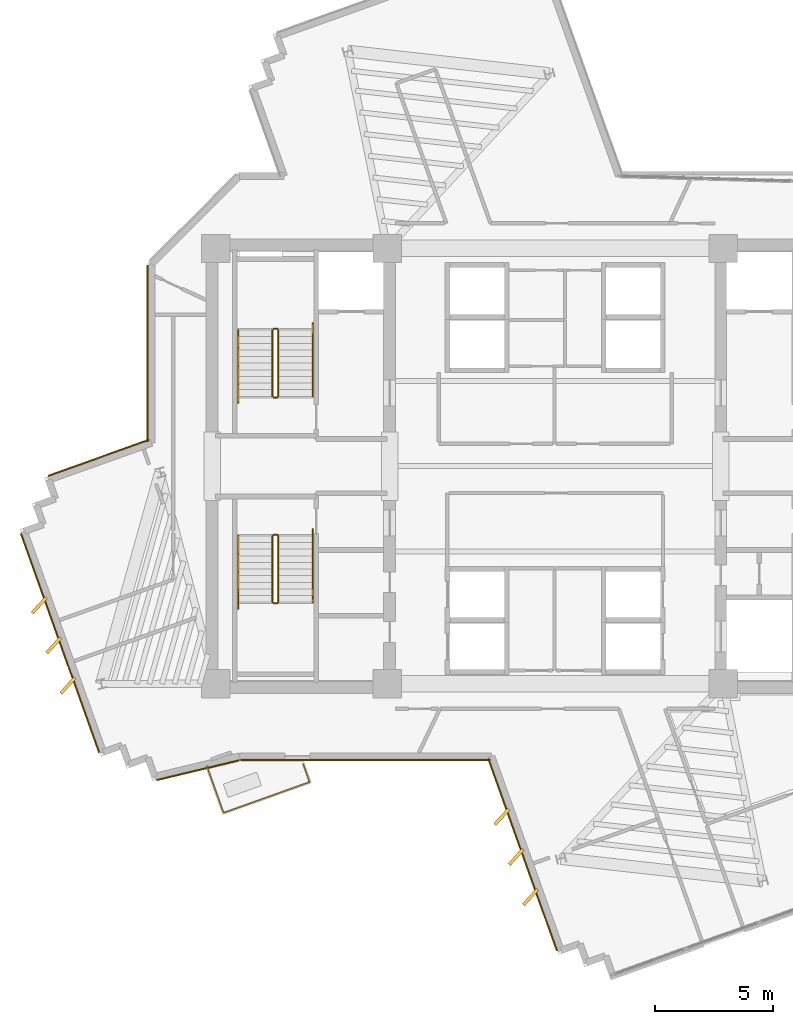
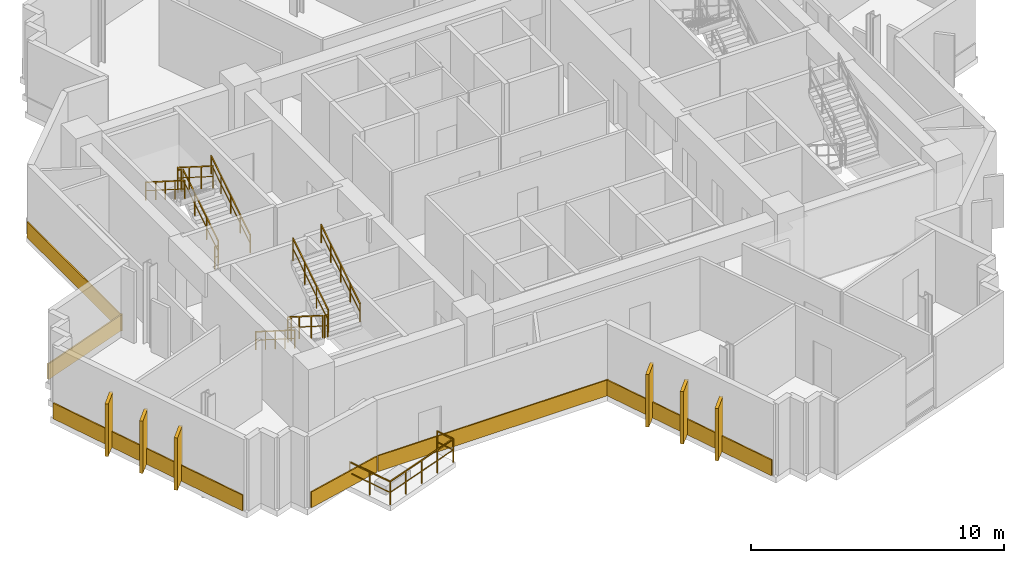
# One storey, part 11 of 13: 15 railings, 12 coverings.
"""IFC4 building model written with IfcOpenShell, lengths in metres."""

from ifc_helpers import new_model, si_unit, direction, frame, origin, origin_2d, place, context, subcontext, project, spatial, rectangle, extrude, source, transform, mapped, material, layer, layer_set, type_object, element, save


model = new_model("IFC4")

# Units and contexts
model_context = context("Model", 3, precision=1e-05, world=origin(), true_north=direction((0.0, 1.0)))
body_context = subcontext(model_context, "Body", "Model", "MODEL_VIEW")
ifc_project = project(units=[si_unit("LENGTHUNIT", "METRE"), si_unit("AREAUNIT", "SQUARE_METRE"), si_unit("VOLUMEUNIT", "CUBIC_METRE"), si_unit("PLANEANGLEUNIT", "RADIAN"), si_unit("MASSUNIT", "GRAM", prefix="KILO")], contexts=[model_context])

# Site, building, storey
site_placement = place(None, origin())
site = spatial("IfcSite", under=ifc_project, at=site_placement, CompositionType="ELEMENT")
building_placement = place(site_placement, origin())
building = spatial("IfcBuilding", under=site, at=building_placement, Name="Zahravan Cultural Tower", CompositionType="ELEMENT")
storey_placement = place(building_placement, frame((0.0, 0.0, 225.300048828125)))
storey = spatial("IfcBuildingStorey", under=building, at=storey_placement, Name="L53", CompositionType="ELEMENT", Elevation=225.300048828125)

# Railings
ifc_material_1 = material(Name="Steel ASTM A572 Grade 50", Category="steel")
railing_type_1 = type_object("IfcRailingType", Name="RL-BAL-1150", PredefinedType="BALUSTRADE", material=ifc_material_1)
railing_1_placement = place(storey_placement, frame((25.618408203125, 13.647216796875, 0.0)))
element("IfcRailing", 1, at=railing_1_placement, inside=storey, type_object=railing_type_1, Name="L53 Edge Balustrade GRD-TR-L53-SW-01", PredefinedType="BALUSTRADE", context=body_context, shape_type="SweptSolid", body=[
    extrude(rectangle(XDim=0.05, YDim=0.05, at=origin_2d()), frame((0.0, 0.0, 1.125), z_axis=(-0.941671776633, -0.336532710287, 0.0), x_axis=(0.336532710287, -0.941671776633, 0.0)), (0.0, 0.0, 1.0), 3.860107421875),
    extrude(rectangle(XDim=0.032, YDim=0.032, at=origin_2d()), frame((0.0, 0.0, 0.597900390625), z_axis=(-0.941671776633, -0.336532710287, 0.0), x_axis=(0.336532710287, -0.941671776633, 0.0)), (0.0, 0.0, 1.0), 3.860107421875),
    extrude(rectangle(XDim=0.04, YDim=0.04, at=origin_2d()), origin(), (0.0, 0.0, 1.0), 1.14990234375),
    extrude(rectangle(XDim=0.04, YDim=0.04, at=origin_2d()), frame((-0.90869140625, -0.32470703125, 0.0)), (0.0, 0.0, 1.0), 1.14990234375),
    extrude(rectangle(XDim=0.04, YDim=0.04, at=origin_2d()), frame((-1.8173828125, -0.6494140625, 0.0)), (0.0, 0.0, 1.0), 1.14990234375),
    extrude(rectangle(XDim=0.04, YDim=0.04, at=origin_2d()), frame((-2.726318359375, -0.974365234375, 0.0)), (0.0, 0.0, 1.0), 1.14990234375),
    extrude(rectangle(XDim=0.04, YDim=0.04, at=origin_2d()), frame((-3.635009765625, -1.299072265625, 0.0)), (0.0, 0.0, 1.0), 1.14990234375),
])
railing_2_placement = place(storey_placement, frame((21.9833984375, 12.34814453125, 0.0)))
element("IfcRailing", 2, at=railing_2_placement, inside=storey, type_object=railing_type_1, Name="L53 Edge Balustrade GRD-TR-L53-SW-02", PredefinedType="BALUSTRADE", context=body_context, shape_type="SweptSolid", body=[
    extrude(rectangle(XDim=0.05, YDim=0.05, at=origin_2d()), frame((0.0, 0.0, 1.125), z_axis=(-0.336594171883, 0.941649809353, 0.0), x_axis=(-0.941649809353, -0.336594171883, 0.0)), (0.0, 0.0, 1.0), 2.099853515625),
    extrude(rectangle(XDim=0.032, YDim=0.032, at=origin_2d()), frame((0.0, 0.0, 0.597900390625), z_axis=(-0.336594171883, 0.941649809353, 0.0), x_axis=(-0.941649809353, -0.336594171883, 0.0)), (0.0, 0.0, 1.0), 2.099853515625),
    extrude(rectangle(XDim=0.04, YDim=0.04, at=origin_2d()), origin(), (0.0, 0.0, 1.0), 1.14990234375),
    extrude(rectangle(XDim=0.04, YDim=0.04, at=origin_2d()), frame((-0.353515625, 0.98876953125, 0.0)), (0.0, 0.0, 1.0), 1.14990234375),
    extrude(rectangle(XDim=0.04, YDim=0.04, at=origin_2d()), frame((-0.706787109375, 1.977294921875, 0.0)), (0.0, 0.0, 1.0), 1.14990234375),
])
railing_3_placement = place(storey_placement, frame((25.342041015625, 14.419921875, 0.0)))
element("IfcRailing", 3, at=railing_3_placement, inside=storey, type_object=railing_type_1, Name="L53 Edge Balustrade GRD-TR-L53-SW-03", PredefinedType="BALUSTRADE", context=body_context, shape_type="SweptSolid", body=[
    extrude(rectangle(XDim=0.05, YDim=0.05, at=origin_2d()), frame((0.0, 0.0, 1.125), z_axis=(0.336769822681, -0.941587004228, 0.0), x_axis=(0.941587004228, 0.336769822681, 0.0)), (0.0, 0.0, 1.0), 0.820556640625),
    extrude(rectangle(XDim=0.032, YDim=0.032, at=origin_2d()), frame((0.0, 0.0, 0.597900390625), z_axis=(0.336769822681, -0.941587004228, 0.0), x_axis=(0.941587004228, 0.336769822681, 0.0)), (0.0, 0.0, 1.0), 0.820556640625),
    extrude(rectangle(XDim=0.04, YDim=0.04, at=origin_2d()), origin(), (0.0, 0.0, 1.0), 1.14990234375),
    extrude(rectangle(XDim=0.04, YDim=0.04, at=origin_2d()), frame((0.2763671875, -0.772705078125, 0.0)), (0.0, 0.0, 1.0), 1.14990234375),
])
railing_type_2 = type_object("IfcRailingType", Name="RL-STAIR-GRD1150", PredefinedType="BALUSTRADE", material=ifc_material_1)
railing_4_placement = place(storey_placement, frame((24.300048828125, 29.949951171875, 0.17724609375)))
element("IfcRailing", 4, at=railing_4_placement, inside=storey, type_object=railing_type_2, Name="L53 ST-W1 stair guard 1", PredefinedType="BALUSTRADE", context=body_context, shape_type="SweptSolid", body=[
    extrude(rectangle(XDim=0.05, YDim=0.05, at=origin_2d()), frame((0.0, 0.0, 1.0751953125), z_axis=(0.0, 0.844908973607, 0.534910110503), x_axis=(-1.0, 0.0, 0.0)), (0.0, 0.0, 1.0), 3.31396484375),
    extrude(rectangle(XDim=0.032, YDim=0.032, at=origin_2d()), frame((0.0, 0.0, 0.572021484375), z_axis=(0.0, 0.844908973607, 0.534910110503), x_axis=(-1.0, 0.0, 0.0)), (0.0, 0.0, 1.0), 3.31396484375),
    extrude(rectangle(XDim=0.04, YDim=0.04, at=origin_2d()), origin(), (0.0, 0.0, 1.0), 1.10009765625),
    extrude(rectangle(XDim=0.04, YDim=0.04, at=origin_2d()), frame((0.0, 0.933349609375, 0.5908203125)), (0.0, 0.0, 1.0), 1.10009765625),
    extrude(rectangle(XDim=0.04, YDim=0.04, at=origin_2d()), frame((0.0, 1.86669921875, 1.181884765625)), (0.0, 0.0, 1.0), 1.10009765625),
    extrude(rectangle(XDim=0.04, YDim=0.04, at=origin_2d()), frame((0.0, 2.800048828125, 1.772705078125)), (0.0, 0.0, 1.0), 1.10009765625),
])
railing_5_placement = place(storey_placement, frame((24.25, 32.800048828125, 1.949951171875)))
element("IfcRailing", 5, at=railing_5_placement, inside=storey, type_object=railing_type_2, Name="L53 ST-W1 stair guard 2", PredefinedType="BALUSTRADE", context=body_context, shape_type="SweptSolid", body=[
    extrude(rectangle(XDim=0.05, YDim=0.05, at=origin_2d()), frame((0.0, 0.0, 1.0751953125), z_axis=(-1.0, 0.0, 0.0), x_axis=(0.0, -1.0, 0.0)), (0.0, 0.0, 1.0), 0.14990234375),
    extrude(rectangle(XDim=0.032, YDim=0.032, at=origin_2d()), frame((0.0, 0.0, 0.572021484375), z_axis=(-1.0, 0.0, 0.0), x_axis=(0.0, -1.0, 0.0)), (0.0, 0.0, 1.0), 0.14990234375),
    extrude(rectangle(XDim=0.04, YDim=0.04, at=origin_2d()), origin(), (0.0, 0.0, 1.0), 1.10009765625),
    extrude(rectangle(XDim=0.04, YDim=0.04, at=origin_2d()), frame((-0.14990234375, 0.0, 0.0)), (0.0, 0.0, 1.0), 1.10009765625),
])
railing_6_placement = place(storey_placement, frame((24.050048828125, 32.75, 2.127197265625)))
element("IfcRailing", 6, at=railing_6_placement, inside=storey, type_object=railing_type_2, Name="L53 ST-W1 stair guard 3", PredefinedType="BALUSTRADE", context=body_context, shape_type="SweptSolid", body=[
    extrude(rectangle(XDim=0.05, YDim=0.05, at=origin_2d()), frame((0.0, 0.0, 1.0751953125), z_axis=(0.0, -0.844908973607, 0.534910110503), x_axis=(1.0, 0.0, 0.0)), (0.0, 0.0, 1.0), 3.31396484375),
    extrude(rectangle(XDim=0.032, YDim=0.032, at=origin_2d()), frame((0.0, 0.0, 0.572021484375), z_axis=(0.0, -0.844908973607, 0.534910110503), x_axis=(1.0, 0.0, 0.0)), (0.0, 0.0, 1.0), 3.31396484375),
    extrude(rectangle(XDim=0.04, YDim=0.04, at=origin_2d()), origin(), (0.0, 0.0, 1.0), 1.10009765625),
    extrude(rectangle(XDim=0.04, YDim=0.04, at=origin_2d()), frame((0.0, -0.933349609375, 0.5908203125)), (0.0, 0.0, 1.0), 1.10009765625),
    extrude(rectangle(XDim=0.04, YDim=0.04, at=origin_2d()), frame((0.0, -1.86669921875, 1.181884765625)), (0.0, 0.0, 1.0), 1.10009765625),
    extrude(rectangle(XDim=0.04, YDim=0.04, at=origin_2d()), frame((0.0, -2.800048828125, 1.772705078125)), (0.0, 0.0, 1.0), 1.10009765625),
])
railing_7_placement = place(storey_placement, frame((24.25, 29.89990234375, 0.0)))
element("IfcRailing", 7, at=railing_7_placement, inside=storey, type_object=railing_type_2, Name="L53 ST-W1 stair guard 4", PredefinedType="BALUSTRADE", context=body_context, shape_type="SweptSolid", body=[
    extrude(rectangle(XDim=0.05, YDim=0.05, at=origin_2d()), frame((0.0, 0.0, 1.0751953125), z_axis=(-1.0, 0.0, 0.0), x_axis=(0.0, -1.0, 0.0)), (0.0, 0.0, 1.0), 0.14990234375),
    extrude(rectangle(XDim=0.032, YDim=0.032, at=origin_2d()), frame((0.0, 0.0, 0.572021484375), z_axis=(-1.0, 0.0, 0.0), x_axis=(0.0, -1.0, 0.0)), (0.0, 0.0, 1.0), 0.14990234375),
    extrude(rectangle(XDim=0.04, YDim=0.04, at=origin_2d()), origin(), (0.0, 0.0, 1.0), 1.10009765625),
    extrude(rectangle(XDim=0.04, YDim=0.04, at=origin_2d()), frame((-0.14990234375, 0.0, 0.0)), (0.0, 0.0, 1.0), 1.10009765625),
])
railing_8_placement = place(storey_placement, frame((24.050048828125, 24.050048828125, 0.17724609375)))
element("IfcRailing", 8, at=railing_8_placement, inside=storey, type_object=railing_type_2, Name="L53 ST-W2 stair guard 1", PredefinedType="BALUSTRADE", context=body_context, shape_type="SweptSolid", body=[
    extrude(rectangle(XDim=0.05, YDim=0.05, at=origin_2d()), frame((0.0, 0.0, 1.0751953125), z_axis=(0.0, -0.844908973607, 0.534910110503), x_axis=(1.0, 0.0, 0.0)), (0.0, 0.0, 1.0), 3.31396484375),
    extrude(rectangle(XDim=0.032, YDim=0.032, at=origin_2d()), frame((0.0, 0.0, 0.572021484375), z_axis=(0.0, -0.844908973607, 0.534910110503), x_axis=(1.0, 0.0, 0.0)), (0.0, 0.0, 1.0), 3.31396484375),
    extrude(rectangle(XDim=0.04, YDim=0.04, at=origin_2d()), origin(), (0.0, 0.0, 1.0), 1.10009765625),
    extrude(rectangle(XDim=0.04, YDim=0.04, at=origin_2d()), frame((0.0, -0.933349609375, 0.5908203125)), (0.0, 0.0, 1.0), 1.10009765625),
    extrude(rectangle(XDim=0.04, YDim=0.04, at=origin_2d()), frame((0.0, -1.86669921875, 1.181884765625)), (0.0, 0.0, 1.0), 1.10009765625),
    extrude(rectangle(XDim=0.04, YDim=0.04, at=origin_2d()), frame((0.0, -2.800048828125, 1.772705078125)), (0.0, 0.0, 1.0), 1.10009765625),
])
railing_9_placement = place(storey_placement, frame((24.10009765625, 21.199951171875, 1.949951171875)))
element("IfcRailing", 9, at=railing_9_placement, inside=storey, type_object=railing_type_2, Name="L53 ST-W2 stair guard 2", PredefinedType="BALUSTRADE", context=body_context, shape_type="SweptSolid", body=[
    extrude(rectangle(XDim=0.05, YDim=0.05, at=origin_2d()), frame((0.0, 0.0, 1.0751953125), z_axis=(1.0, 0.0, 0.0), x_axis=(0.0, 1.0, 0.0)), (0.0, 0.0, 1.0), 0.14990234375),
    extrude(rectangle(XDim=0.032, YDim=0.032, at=origin_2d()), frame((0.0, 0.0, 0.572021484375), z_axis=(1.0, 0.0, 0.0), x_axis=(0.0, 1.0, 0.0)), (0.0, 0.0, 1.0), 0.14990234375),
    extrude(rectangle(XDim=0.04, YDim=0.04, at=origin_2d()), origin(), (0.0, 0.0, 1.0), 1.10009765625),
    extrude(rectangle(XDim=0.04, YDim=0.04, at=origin_2d()), frame((0.14990234375, 0.0, 0.0)), (0.0, 0.0, 1.0), 1.10009765625),
])
railing_10_placement = place(storey_placement, frame((24.300048828125, 21.25, 2.127197265625)))
element("IfcRailing", 10, at=railing_10_placement, inside=storey, type_object=railing_type_2, Name="L53 ST-W2 stair guard 3", PredefinedType="BALUSTRADE", context=body_context, shape_type="SweptSolid", body=[
    extrude(rectangle(XDim=0.05, YDim=0.05, at=origin_2d()), frame((0.0, 0.0, 1.0751953125), z_axis=(0.0, 0.844908973607, 0.534910110503), x_axis=(-1.0, 0.0, 0.0)), (0.0, 0.0, 1.0), 3.31396484375),
    extrude(rectangle(XDim=0.032, YDim=0.032, at=origin_2d()), frame((0.0, 0.0, 0.572021484375), z_axis=(0.0, 0.844908973607, 0.534910110503), x_axis=(-1.0, 0.0, 0.0)), (0.0, 0.0, 1.0), 3.31396484375),
    extrude(rectangle(XDim=0.04, YDim=0.04, at=origin_2d()), origin(), (0.0, 0.0, 1.0), 1.10009765625),
    extrude(rectangle(XDim=0.04, YDim=0.04, at=origin_2d()), frame((0.0, 0.933349609375, 0.5908203125)), (0.0, 0.0, 1.0), 1.10009765625),
    extrude(rectangle(XDim=0.04, YDim=0.04, at=origin_2d()), frame((0.0, 1.86669921875, 1.181884765625)), (0.0, 0.0, 1.0), 1.10009765625),
    extrude(rectangle(XDim=0.04, YDim=0.04, at=origin_2d()), frame((0.0, 2.800048828125, 1.772705078125)), (0.0, 0.0, 1.0), 1.10009765625),
])
railing_11_placement = place(storey_placement, frame((24.10009765625, 24.10009765625, 0.0)))
element("IfcRailing", 11, at=railing_11_placement, inside=storey, type_object=railing_type_2, Name="L53 ST-W2 stair guard 4", PredefinedType="BALUSTRADE", context=body_context, shape_type="SweptSolid", body=[
    extrude(rectangle(XDim=0.05, YDim=0.05, at=origin_2d()), frame((0.0, 0.0, 1.0751953125), z_axis=(1.0, 0.0, 0.0), x_axis=(0.0, 1.0, 0.0)), (0.0, 0.0, 1.0), 0.14990234375),
    extrude(rectangle(XDim=0.032, YDim=0.032, at=origin_2d()), frame((0.0, 0.0, 0.572021484375), z_axis=(1.0, 0.0, 0.0), x_axis=(0.0, 1.0, 0.0)), (0.0, 0.0, 1.0), 0.14990234375),
    extrude(rectangle(XDim=0.04, YDim=0.04, at=origin_2d()), origin(), (0.0, 0.0, 1.0), 1.10009765625),
    extrude(rectangle(XDim=0.04, YDim=0.04, at=origin_2d()), frame((0.14990234375, 0.0, 0.0)), (0.0, 0.0, 1.0), 1.10009765625),
])
railing_type_3 = type_object("IfcRailingType", Name="RL-STAIR-HR900", PredefinedType="HANDRAIL", material=ifc_material_1)
railing_12_placement = place(storey_placement, frame((25.75, 29.949951171875, 0.17724609375)))
element("IfcRailing", 12, at=railing_12_placement, inside=storey, type_object=railing_type_3, Name="L53 ST-W1 stair handrail 1", PredefinedType="HANDRAIL", context=body_context, shape_type="SweptSolid", body=[
    extrude(rectangle(XDim=0.05, YDim=0.05, at=origin_2d()), frame((0.0, 0.0, 0.875), z_axis=(0.0, 0.844913916606, 0.534902302785), x_axis=(-1.0, 0.0, 0.0)), (0.0, 0.0, 1.0), 3.6455078125),
    extrude(rectangle(XDim=0.032, YDim=0.032, at=origin_2d()), frame((0.0, 0.0, 0.468017578125), z_axis=(0.0, 0.844913916606, 0.534902302785), x_axis=(-1.0, 0.0, 0.0)), (0.0, 0.0, 1.0), 3.6455078125),
    extrude(rectangle(XDim=0.04, YDim=0.04, at=origin_2d()), origin(), (0.0, 0.0, 1.0), 0.89990234375),
    extrude(rectangle(XDim=0.04, YDim=0.04, at=origin_2d()), frame((0.0, 0.77001953125, 0.487548828125)), (0.0, 0.0, 1.0), 0.89990234375),
    extrude(rectangle(XDim=0.04, YDim=0.04, at=origin_2d()), frame((0.0, 1.5400390625, 0.97509765625)), (0.0, 0.0, 1.0), 0.89990234375),
    extrude(rectangle(XDim=0.04, YDim=0.04, at=origin_2d()), frame((0.0, 2.31005859375, 1.46240234375)), (0.0, 0.0, 1.0), 0.89990234375),
    extrude(rectangle(XDim=0.04, YDim=0.04, at=origin_2d()), frame((0.0, 3.080078125, 1.949951171875)), (0.0, 0.0, 1.0), 0.89990234375),
])
for number, where, name in (
    (13, (22.60009765625, 32.75, 2.127197265625), "L53 ST-W1 stair handrail 2"),
    (14, (22.60009765625, 24.050048828125, 0.17724609375), "L53 ST-W2 stair handrail 1"),
):
    element("IfcRailing", number, at=place(storey_placement, frame(where)), inside=storey, type_object=railing_type_3, Name=name, PredefinedType="HANDRAIL", context=body_context, shape_type="SweptSolid", body=[
        extrude(rectangle(XDim=0.05, YDim=0.05, at=origin_2d()), frame((0.0, 0.0, 0.875), z_axis=(0.0, -0.844913916606, 0.534902302785), x_axis=(1.0, 0.0, 0.0)), (0.0, 0.0, 1.0), 3.6455078125),
        extrude(rectangle(XDim=0.032, YDim=0.032, at=origin_2d()), frame((0.0, 0.0, 0.468017578125), z_axis=(0.0, -0.844913916606, 0.534902302785), x_axis=(1.0, 0.0, 0.0)), (0.0, 0.0, 1.0), 3.6455078125),
        extrude(rectangle(XDim=0.04, YDim=0.04, at=origin_2d()), origin(), (0.0, 0.0, 1.0), 0.89990234375),
        extrude(rectangle(XDim=0.04, YDim=0.04, at=origin_2d()), frame((0.0, -0.77001953125, 0.487548828125)), (0.0, 0.0, 1.0), 0.89990234375),
        extrude(rectangle(XDim=0.04, YDim=0.04, at=origin_2d()), frame((0.0, -1.5400390625, 0.97509765625)), (0.0, 0.0, 1.0), 0.89990234375),
        extrude(rectangle(XDim=0.04, YDim=0.04, at=origin_2d()), frame((0.0, -2.31005859375, 1.46240234375)), (0.0, 0.0, 1.0), 0.89990234375),
        extrude(rectangle(XDim=0.04, YDim=0.04, at=origin_2d()), frame((0.0, -3.080078125, 1.949951171875)), (0.0, 0.0, 1.0), 0.89990234375),
    ])
railing_13_placement = place(storey_placement, frame((25.75, 21.25, 2.127197265625)))
element("IfcRailing", 15, at=railing_13_placement, inside=storey, type_object=railing_type_3, Name="L53 ST-W2 stair handrail 2", PredefinedType="HANDRAIL", context=body_context, shape_type="SweptSolid", body=[
    extrude(rectangle(XDim=0.05, YDim=0.05, at=origin_2d()), frame((0.0, 0.0, 0.875), z_axis=(0.0, 0.844913916606, 0.534902302785), x_axis=(-1.0, 0.0, 0.0)), (0.0, 0.0, 1.0), 3.6455078125),
    extrude(rectangle(XDim=0.032, YDim=0.032, at=origin_2d()), frame((0.0, 0.0, 0.468017578125), z_axis=(0.0, 0.844913916606, 0.534902302785), x_axis=(-1.0, 0.0, 0.0)), (0.0, 0.0, 1.0), 3.6455078125),
    extrude(rectangle(XDim=0.04, YDim=0.04, at=origin_2d()), origin(), (0.0, 0.0, 1.0), 0.89990234375),
    extrude(rectangle(XDim=0.04, YDim=0.04, at=origin_2d()), frame((0.0, 0.77001953125, 0.487548828125)), (0.0, 0.0, 1.0), 0.89990234375),
    extrude(rectangle(XDim=0.04, YDim=0.04, at=origin_2d()), frame((0.0, 1.5400390625, 0.97509765625)), (0.0, 0.0, 1.0), 0.89990234375),
    extrude(rectangle(XDim=0.04, YDim=0.04, at=origin_2d()), frame((0.0, 2.31005859375, 1.46240234375)), (0.0, 0.0, 1.0), 0.89990234375),
    extrude(rectangle(XDim=0.04, YDim=0.04, at=origin_2d()), frame((0.0, 3.080078125, 1.949951171875)), (0.0, 0.0, 1.0), 0.89990234375),
])

# Coverings
ifc_material_2 = material(Name="Terracotta ceramic cladding", Category="masonry")
ifc_layer = layer(ifc_material_2, 0.06005859375)
ifc_layer_set = layer_set([ifc_layer], Name="Terracotta ceramic cladding")
covering_type = type_object("IfcCoveringType", Name="COV-CLAD-TC60", PredefinedType="CLADDING", material=ifc_layer_set)
shared_shape_1 = source(origin(), body_context, "Body", "SweptSolid", [
    extrude(rectangle(XDim=9.820068359375, YDim=0.06005859375, at=origin_2d()), origin(), (0.0, 0.0, 1.0), 0.760009765625),
])
covering_1_placement = place(storey_placement, frame((15.0712890625, 19.520263671875, 0.02001953125), z_axis=(0.0, 0.0, 1.0), x_axis=(-0.336552954434, 0.941664541576, 0.0)))
element("IfcCovering", 16, at=covering_1_placement, inside=storey, type_object=covering_type, Name="L53 Terracotta Spandrel Cladding 31", PredefinedType="CLADDING", context=body_context, shape_type="MappedRepresentation", body=[
    mapped(shared_shape_1, transform((0.0, 0.0, 0.0), x_axis=(1.0, 0.0, 0.0), y_axis=(0.0, 1.0, 0.0), z_axis=(0.0, 0.0, 1.0), scale=1.0)),
])
shared_shape_2 = source(origin(), body_context, "Body", "SweptSolid", [
    extrude(rectangle(XDim=4.5234375, YDim=0.06005859375, at=origin_2d()), origin(), (0.0, 0.0, 1.0), 0.760009765625),
])
covering_2_placement = place(storey_placement, frame((16.70751953125, 27.352783203125, 0.02001953125), z_axis=(0.0, 0.0, 1.0), x_axis=(0.941664541576, 0.336552954434, 0.0)))
element("IfcCovering", 17, at=covering_2_placement, inside=storey, type_object=covering_type, Name="L53 Terracotta Spandrel Cladding 36", PredefinedType="CLADDING", context=body_context, shape_type="MappedRepresentation", body=[
    mapped(shared_shape_2, transform((0.0, 0.0, 0.0), x_axis=(1.0, 0.0, 0.0), y_axis=(0.0, 1.0, 0.0), z_axis=(0.0, 0.0, 1.0), scale=1.0)),
])
shared_shape_3 = source(origin(), body_context, "Body", "SweptSolid", [
    extrude(rectangle(XDim=7.466552734375, YDim=0.06005859375, at=origin_2d()), origin(), (0.0, 0.0, 1.0), 0.760009765625),
])
covering_3_placement = place(storey_placement, frame((18.77490234375, 31.7587890625, 0.02001953125), z_axis=(0.0, 0.0, 1.0), x_axis=(0.0, 1.0, 0.0)))
element("IfcCovering", 18, at=covering_3_placement, inside=storey, type_object=covering_type, Name="L53 Terracotta Spandrel Cladding 37", PredefinedType="CLADDING", context=body_context, shape_type="MappedRepresentation", body=[
    mapped(shared_shape_3, transform((0.0, 0.0, 0.0), x_axis=(1.0, 0.0, 0.0), y_axis=(0.0, 1.0, 0.0), z_axis=(0.0, 0.0, 1.0), scale=1.0)),
])
shared_shape_4 = source(origin(), body_context, "Body", "SweptSolid", [
    extrude(rectangle(XDim=8.620849609375, YDim=0.06005859375, at=origin_2d()), origin(), (0.0, 0.0, 1.0), 0.760009765625),
])
covering_4_placement = place(storey_placement, frame((34.62109375, 10.578369140625, 0.02001953125), z_axis=(0.0, 0.0, 1.0), x_axis=(-0.336552954434, 0.941664541576, 0.0)))
element("IfcCovering", 19, at=covering_4_placement, inside=storey, type_object=covering_type, Name="L53 Terracotta Spandrel Cladding 24", PredefinedType="CLADDING", context=body_context, shape_type="MappedRepresentation", body=[
    mapped(shared_shape_4, transform((0.0, 0.0, 0.0), x_axis=(1.0, 0.0, 0.0), y_axis=(0.0, 1.0, 0.0), z_axis=(0.0, 0.0, 1.0), scale=1.0)),
])
shared_shape_5 = source(origin(), body_context, "Body", "SweptSolid", [
    extrude(rectangle(XDim=10.551025390625, YDim=0.06005859375, at=origin_2d()), origin(), (0.0, 0.0, 1.0), 0.760009765625),
])
covering_5_placement = place(storey_placement, frame((27.983642578125, 14.574951171875, 0.02001953125), z_axis=(0.0, 0.0, 1.0), x_axis=(-1.0, 0.0, 0.0)))
element("IfcCovering", 20, at=covering_5_placement, inside=storey, type_object=covering_type, Name="L53 Terracotta Spandrel Cladding 25", PredefinedType="CLADDING", context=body_context, shape_type="MappedRepresentation", body=[
    mapped(shared_shape_5, transform((0.0, 0.0, 0.0), x_axis=(1.0, 0.0, 0.0), y_axis=(0.0, 1.0, 0.0), z_axis=(0.0, 0.0, 1.0), scale=1.0)),
])
shared_shape_6 = source(origin(), body_context, "Body", "SweptSolid", [
    extrude(rectangle(XDim=3.59130859375, YDim=0.06005859375, at=origin_2d()), origin(), (0.0, 0.0, 1.0), 0.760009765625),
])
covering_6_placement = place(storey_placement, frame((20.902099609375, 14.147705078125, 0.02001953125), z_axis=(0.0, 0.0, 1.0), x_axis=(-0.972243471982, -0.233971432418, 0.0)))
element("IfcCovering", 21, at=covering_6_placement, inside=storey, type_object=covering_type, Name="L53 Terracotta Spandrel Cladding 26", PredefinedType="CLADDING", context=body_context, shape_type="MappedRepresentation", body=[
    mapped(shared_shape_6, transform((0.0, 0.0, 0.0), x_axis=(1.0, 0.0, 0.0), y_axis=(0.0, 1.0, 0.0), z_axis=(0.0, 0.0, 1.0), scale=1.0)),
])
shared_shape_7 = source(origin(), body_context, "Body", "SweptSolid", [
    extrude(rectangle(XDim=0.8798828125, YDim=0.139892578125, at=origin_2d()), origin(), (0.0, 0.0, 1.0), 2.530029296875),
])
for number, where, z_axis, x_axis, name in (
    (22, (34.95849609375, 8.78759765625, 0.0498046875), (0.0, 0.0, 1.0), (-0.673438398787, -0.739243344941, 0.0), "L53 Herringbone Terracotta Fin 11"),
    (23, (34.352783203125, 10.482421875, 0.0498046875), (0.0, 0.0, 1.0), (-0.673438398787, -0.739243344941, 0.0), "L53 Herringbone Terracotta Fin 12"),
    (24, (33.7470703125, 12.177490234375, 0.0498046875), (0.0, 0.0, 1.0), (-0.673438398787, -0.739243344941, 0.0), "L53 Herringbone Terracotta Fin 13"),
    (25, (15.40869140625, 17.729248046875, 0.0498046875), (0.0, 0.0, 1.0), (-0.673438398787, -0.739243344941, 0.0), "L53 Herringbone Terracotta Fin 14"),
    (26, (14.802978515625, 19.42431640625, 0.0498046875), (0.0, 0.0, 1.0), (-0.673438398787, -0.739243344941, 0.0), "L53 Herringbone Terracotta Fin 15"),
    (27, (14.197265625, 21.119384765625, 0.0498046875), (0.0, 0.0, 1.0), (-0.673438398787, -0.739243344941, 0.0), "L53 Herringbone Terracotta Fin 16"),
):
    element("IfcCovering", number, at=place(storey_placement, frame(where, z_axis=z_axis, x_axis=x_axis)), inside=storey, type_object=covering_type, Name=name, PredefinedType="CLADDING", context=body_context, shape_type="MappedRepresentation", body=[
        mapped(shared_shape_7, transform((0.0, 0.0, 0.0), x_axis=(1.0, 0.0, 0.0), y_axis=(0.0, 1.0, 0.0), z_axis=(0.0, 0.0, 1.0), scale=1.0)),
    ])

save(model, "model.ifc")
